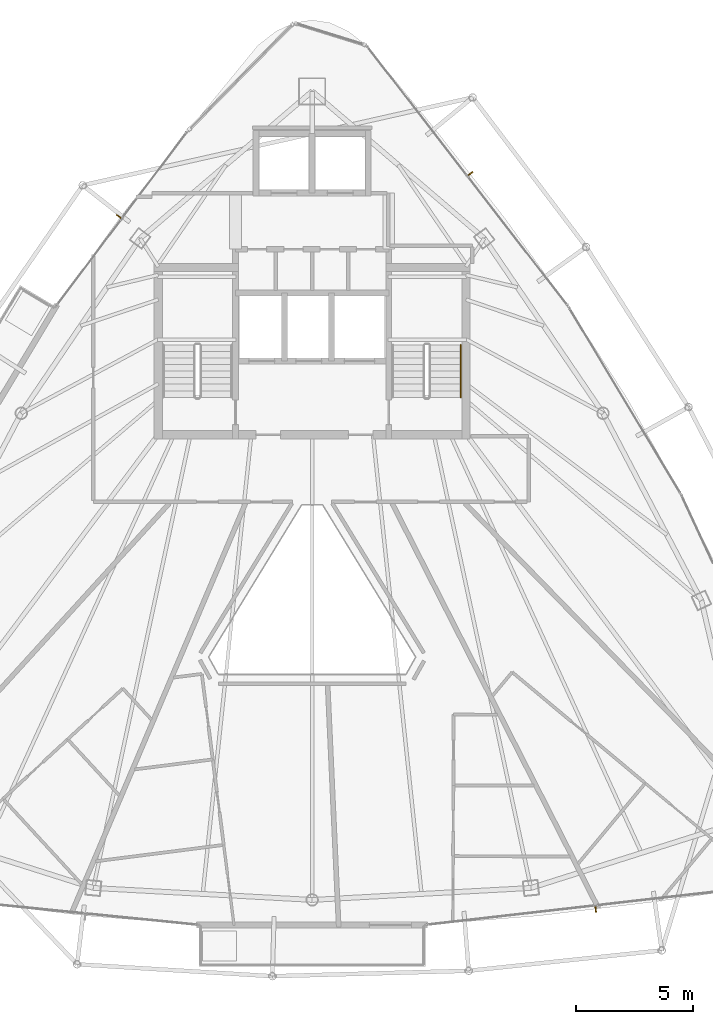
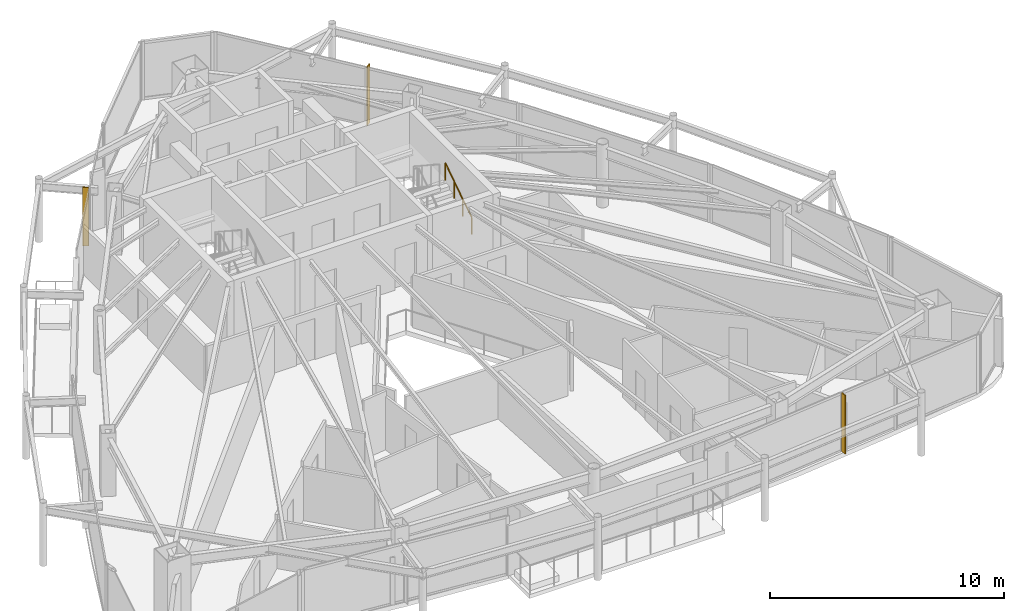
# One storey, part 30 of 30: 3 shading devices, 1 railing.
"""IFC4 building model written with IfcOpenShell, lengths in metres."""

from ifc_helpers import new_model, si_unit, direction, frame, origin, origin_2d, place, context, subcontext, project, spatial, rectangle, circle, extrude, material, layer, layer_set, type_object, element, save


model = new_model("IFC4")

# Units and contexts
model_context = context("Model", 3, precision=1e-05, world=origin(), true_north=direction((0.0, 1.0)))
body_context = subcontext(model_context, "Body", "Model", "MODEL_VIEW")
ifc_project = project(units=[si_unit("LENGTHUNIT", "METRE"), si_unit("AREAUNIT", "SQUARE_METRE"), si_unit("VOLUMEUNIT", "CUBIC_METRE"), si_unit("PLANEANGLEUNIT", "RADIAN"), si_unit("MASSUNIT", "GRAM", prefix="KILO")], contexts=[model_context])

# Site, building, storey
site_placement = place(None, origin())
site = spatial("IfcSite", under=ifc_project, at=site_placement, CompositionType="ELEMENT")
building_placement = place(site_placement, origin())
building = spatial("IfcBuilding", under=site, at=building_placement, Name="Orvanel Arch Residences", CompositionType="ELEMENT")
storey_placement = place(building_placement, frame((0.0, 0.0, 270.050048828125)))
storey = spatial("IfcBuildingStorey", under=building, at=storey_placement, Name="L77", CompositionType="ELEMENT", Elevation=270.050048828125)

# Shading devices
ifc_material_1 = material(Name="Bronze-anodised aluminium AA6063-T6", Category="aluminium")
ifc_layer = layer(ifc_material_1, 0.050048828125)
ifc_layer_set = layer_set([ifc_layer], Name="Bronze-anodised aluminium AA6063-T6")
shading_device_type = type_object("IfcShadingDeviceType", Name="FIN-BRZ-260", PredefinedType="USERDEFINED", material=ifc_layer_set)
for number, where, z_axis, x_axis, name in (
    (1, (24.741943359375, 36.044921875, 0.0), (0.0, 0.0, 1.0), (-0.799684658487, 0.600420225326, 0.0), "L77 Anodised Bronze Mullion FIN 01"),
    (2, (45.117919921875, 6.451904296875, 0.0), (0.0, 0.0, 1.0), (0.113203213768, -0.993571855677, 0.0), "L77 Anodised Bronze Mullion FIN 01"),
    (3, (39.760009765625, 37.8740234375, 0.0), (0.0, 0.0, 1.0), (0.791223532967, 0.611527040186, 0.0), "L77 Anodised Bronze Mullion FIN 01"),
):
    element("IfcShadingDevice", number, at=place(storey_placement, frame(where, z_axis=z_axis, x_axis=x_axis)), inside=storey, type_object=shading_device_type, Name=name, ObjectType="FIN", PredefinedType="USERDEFINED", context=body_context, shape_type="SweptSolid", body=[
        extrude(rectangle(XDim=0.260009765625, YDim=0.050048828125, at=origin_2d()), origin(), (0.0, 0.0, 1.0), 3.06005859375),
    ])

# Railing
ifc_material_2 = material(Name="Structural steel AS/NZS 1163 C350L0 (Grade 350)", Category="steel")
railing_type = type_object("IfcRailingType", Name="RL-STAIR-HAND", PredefinedType="HANDRAIL", material=ifc_material_2)
railing_placement = place(storey_placement, frame((39.35009765625, 28.320068359375, 0.183349609375)))
element("IfcRailing", 4, at=railing_placement, inside=storey, type_object=railing_type, Name="L77 ST-2 stair handrail 1", PredefinedType="HANDRAIL", context=body_context, shape_type="SweptSolid", body=[
    extrude(circle(Radius=0.02392578125, at=origin_2d()), frame((0.0, 0.001220703125, 0.876708984375), z_axis=(0.0, 0.836636935527, 0.547757827979), x_axis=(-1.0, 0.0, 0.0)), (0.0, 0.0, 1.0), 2.67431640625),
    extrude(circle(Radius=0.02099609375, at=origin_2d()), origin(), (0.0, 0.0, 1.0), 0.849853515625),
    extrude(circle(Radius=0.02099609375, at=origin_2d()), frame((0.0, 0.74658203125, 0.48876953125)), (0.0, 0.0, 1.0), 0.849853515625),
    extrude(circle(Radius=0.02099609375, at=origin_2d()), frame((0.0, 1.493408203125, 0.977783203125)), (0.0, 0.0, 1.0), 0.849853515625),
    extrude(circle(Radius=0.02099609375, at=origin_2d()), frame((0.0, 2.239990234375, 1.466552734375)), (0.0, 0.0, 1.0), 0.849853515625),
])

save(model, "model.ifc")
